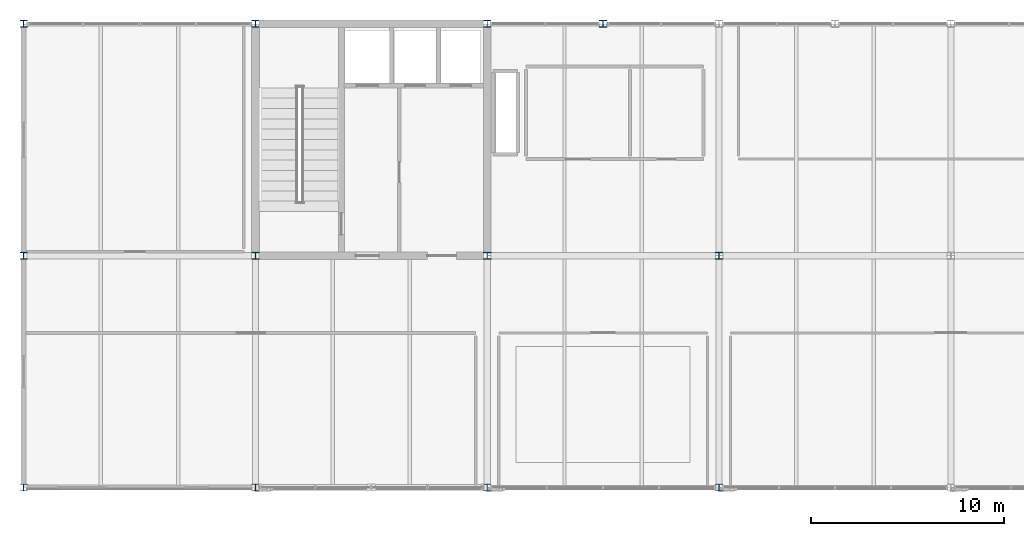
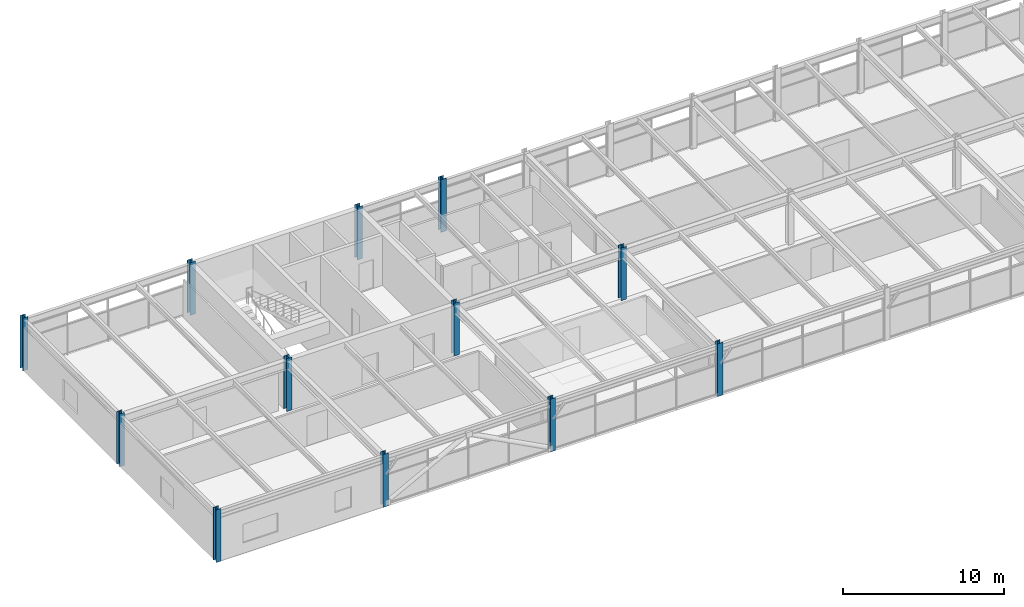
# One storey, part 1 of 40: 12 columns.
"""IFC4 building model written with IfcOpenShell, lengths in metres."""

import ifcopenshell
import ifcopenshell.guid

model = None  # the IFC model being written
_history = None  # IfcOwnerHistory: only IFC2X3 demands one
_inside = {}  # id of a spatial element -> (the spatial element, [elements in it])
_under = {}  # id of a project, library or spatial element -> (it, [spatial elements below it])
_declared = {}  # id of a project -> (the project, [libraries it declares])
_typed = {}  # id of a type object -> (the type object, [elements of that type])
_made_of = {}  # id of a material, layer set ... -> (it, [elements and type objects made of it])


def new_model(schema):
    """Start an empty IFC model of exactly this schema.

    Asked for "IFC4X3", IfcOpenShell would pick the latest addendum, in which some entities
    have other attributes; the version numbers below select the first issue.
    IFC2X3 requires an IfcOwnerHistory on every rooted entity: one is made here for all.
    """
    global model, _history
    if schema == "IFC4X3":
        model = ifcopenshell.file(schema_version=(4, 3, 0, 0))
    else:
        model = ifcopenshell.file(schema=schema)
    _inside.clear()
    _under.clear()
    _declared.clear()
    _typed.clear()
    _made_of.clear()
    _history = None
    if model.schema == "IFC2X3":
        org = make("IfcOrganization", Name="unknown")
        user = make(
            "IfcPersonAndOrganization",
            ThePerson=make("IfcPerson", FamilyName="unknown"),
            TheOrganization=org,
        )
        app = make(
            "IfcApplication",
            ApplicationDeveloper=org,
            Version="unknown",
            ApplicationFullName="unknown",
            ApplicationIdentifier="unknown",
        )
        _history = make(
            "IfcOwnerHistory",
            OwningUser=user,
            OwningApplication=app,
            ChangeAction="ADDED",
            CreationDate=0,
        )
    return model


def make(cls, **values):
    """One entity of the class cls with the attributes given. An attribute that is None is left unset."""
    return model.create_entity(
        cls, **{name: value for name, value in values.items() if value is not None}
    )


def rooted(cls, **values):
    """An entity with a GlobalId (a new one), such as an element, a storey or a relation."""
    return make(cls, GlobalId=ifcopenshell.guid.new(), OwnerHistory=_history, **values)


def si_unit(unit_type, name, prefix=None):
    """IfcSIUnit, for example si_unit("LENGTHUNIT", "METRE", prefix="MILLI")."""
    return make("IfcSIUnit", UnitType=unit_type, Prefix=prefix, Name=name)


def assignment(units):
    """IfcUnitAssignment: the units of a project."""
    return None if units is None else make("IfcUnitAssignment", Units=units)


def point(xyz):
    """IfcCartesianPoint."""
    return None if xyz is None else make("IfcCartesianPoint", Coordinates=xyz)


def direction(xyz):
    """IfcDirection."""
    return None if xyz is None else make("IfcDirection", DirectionRatios=xyz)


def frame(location, z_axis=None, x_axis=None):
    """IfcAxis2Placement3D, a coordinate frame: its origin and axes. An axis left out is left unset."""
    return make(
        "IfcAxis2Placement3D",
        Location=point(location),
        Axis=direction(z_axis),
        RefDirection=direction(x_axis),
    )


def frame_2d(location, x_axis=None):
    """IfcAxis2Placement2D, a coordinate frame in the plane: its origin and x axis."""
    return make(
        "IfcAxis2Placement2D", Location=point(location), RefDirection=direction(x_axis)
    )


def origin():
    """The frame at (0, 0, 0) with its axes left unset."""
    return frame((0.0, 0.0, 0.0))


def origin_2d():
    """The frame at (0, 0) in the plane with its x axis left unset."""
    return frame_2d((0.0, 0.0))


def place(relative_to, where):
    """IfcLocalPlacement: puts the frame where relative to a parent placement (None: the world)."""
    return make(
        "IfcLocalPlacement", PlacementRelTo=relative_to, RelativePlacement=where
    )


def context(
    kind, dimensions, precision=None, world=None, true_north=None, identifier=None
):
    """IfcGeometricRepresentationContext, for example the 3D "Model" context."""
    return make(
        "IfcGeometricRepresentationContext",
        ContextIdentifier=identifier,
        ContextType=kind,
        CoordinateSpaceDimension=dimensions,
        Precision=precision,
        WorldCoordinateSystem=world,
        TrueNorth=true_north,
    )


def subcontext(parent, identifier, kind, view, scale=None):
    """IfcGeometricRepresentationSubContext, for example "Body" below "Model"."""
    return make(
        "IfcGeometricRepresentationSubContext",
        ContextIdentifier=identifier,
        ContextType=kind,
        ParentContext=parent,
        TargetScale=scale,
        TargetView=view,
    )


def project(units=None, contexts=None):
    """IfcProject with its units and contexts."""
    return rooted(
        "IfcProject",
        Name="project",
        RepresentationContexts=contexts,
        UnitsInContext=assignment(units),
    )


def spatial(cls, under=None, at=None, **own):
    """A site, building, storey or space (cls), placed at a placement, below another one or the project."""
    s = rooted(cls, ObjectPlacement=at, **own)
    if under is not None:
        _under.setdefault(under.id(), (under, []))[1].append(s)
    return s


def profile(cls, at=None, kind="AREA", **sizes):
    """A parametric profile (cls). Its sizes go by their IFC names, for example OverallWidth=200.0."""
    return make(cls, ProfileType=kind, Position=at, **sizes)


def i_section(**sizes):
    """IfcIShapeProfileDef."""
    return profile("IfcIShapeProfileDef", **sizes)


def extrude(swept, where, along, depth):
    """IfcExtrudedAreaSolid: the profile swept, set in the frame where, extruded along a direction by depth."""
    return make(
        "IfcExtrudedAreaSolid",
        SweptArea=swept,
        Position=where,
        ExtrudedDirection=direction(along),
        Depth=depth,
    )


def shape(context_of_items, identifier, shape_type, items):
    """IfcShapeRepresentation: the items that make up one representation, for example the "Body"."""
    return make(
        "IfcShapeRepresentation",
        ContextOfItems=context_of_items,
        RepresentationIdentifier=identifier,
        RepresentationType=shape_type,
        Items=items,
    )


def material(Name=None, Category=None):
    """IfcMaterial."""
    return make("IfcMaterial", Name=Name, Category=Category)


def material_profile(
    of_material, cross_section, Name=None, Category=None, Priority=None
):
    """IfcMaterialProfile: a cross section and its material."""
    return make(
        "IfcMaterialProfile",
        Name=Name,
        Material=of_material,
        Profile=cross_section,
        Priority=Priority,
        Category=Category,
    )


def profile_set(profiles, Name=None, composite=None):
    """IfcMaterialProfileSet."""
    return make(
        "IfcMaterialProfileSet",
        Name=Name,
        MaterialProfiles=profiles,
        CompositeProfile=composite,
    )


def made_of(thing, what):
    """Note that an element or type object is made of a material, layer set ...; save() writes the relation."""
    if what is not None:
        _made_of.setdefault(what.id(), (what, []))[1].append(thing)
    return thing


def type_object(cls, material=None, **own):
    """A type object (cls), such as IfcWallType, which elements share."""
    return made_of(rooted(cls, **own), material)


def element(
    cls,
    number,
    at=None,
    inside=None,
    cuts=None,
    type_object=None,
    material=None,
    context=None,
    identifier="Body",
    shape_type=None,
    held_by="IfcProductDefinitionShape",
    body=None,
    shapes=None,
    **own,
):
    """One element of the class cls, such as IfcWall. Its Tag is "e" and its number.

    at: its placement. inside: the storey or other place that contains it. cuts: it is an
    opening in that element (IfcRelVoidsElement). A single representation is given by context,
    identifier, shape_type and body (its items); several are given by shapes. held_by: the class
    of the entity that holds the representations. save() writes the other relations.
    """
    e = rooted(cls, Tag="e%d" % number, ObjectPlacement=at, **own)
    if body is not None:
        shapes = [shape(context, identifier, shape_type, body)]
    if shapes is not None:
        e.Representation = make(held_by, Representations=shapes)
    if inside is not None:
        _inside.setdefault(inside.id(), (inside, []))[1].append(e)
    if cuts is not None:
        rooted(
            "IfcRelVoidsElement", RelatingBuildingElement=cuts, RelatedOpeningElement=e
        )
    if type_object is not None:
        _typed.setdefault(type_object.id(), (type_object, []))[1].append(e)
    return made_of(e, material)


def aggregate(whole, parts):
    """IfcRelAggregates: a whole, such as a stair, and the parts it consists of."""
    return rooted("IfcRelAggregates", RelatingObject=whole, RelatedObjects=parts)


def save(model, path):
    """Write the relations noted so far, then the file.

    IfcRelAggregates (storeys below a building ...), IfcRelContainedInSpatialStructure (elements
    in a storey), IfcRelDefinesByType, IfcRelAssociatesMaterial and IfcRelDeclares: one each for
    every whole, place, type object, material and project.
    """
    for whole, parts in _under.values():
        aggregate(whole, parts)
    for where, things in _inside.values():
        rooted(
            "IfcRelContainedInSpatialStructure",
            RelatedElements=things,
            RelatingStructure=where,
        )
    for kind, things in _typed.values():
        rooted("IfcRelDefinesByType", RelatedObjects=things, RelatingType=kind)
    for what, things in _made_of.values():
        rooted("IfcRelAssociatesMaterial", RelatedObjects=things, RelatingMaterial=what)
    for by, libraries in _declared.values():
        rooted("IfcRelDeclares", RelatingContext=by, RelatedDefinitions=libraries)
    model.write(path)


model = new_model("IFC4")

# Units and contexts
model_context = context("Model", 3, precision=1e-05, world=origin(), true_north=direction((0.0, 1.0)))
body_context = subcontext(model_context, "Body", "Model", "MODEL_VIEW")
ifc_project = project(units=[si_unit("LENGTHUNIT", "METRE"), si_unit("AREAUNIT", "SQUARE_METRE"), si_unit("VOLUMEUNIT", "CUBIC_METRE"), si_unit("PLANEANGLEUNIT", "RADIAN"), si_unit("MASSUNIT", "GRAM", prefix="KILO")], contexts=[model_context])

# Site, building, storey
site_placement = place(None, origin())
site = spatial("IfcSite", under=ifc_project, at=site_placement, CompositionType="ELEMENT")
building_placement = place(site_placement, origin())
building = spatial("IfcBuilding", under=site, at=building_placement, Name="Girod Span Mobility Hub", CompositionType="ELEMENT")
storey_placement = place(building_placement, frame((0.0, 0.0, 53.60009765625)))
storey = spatial("IfcBuildingStorey", under=building, at=storey_placement, Name="L13", CompositionType="ELEMENT", Elevation=53.60009765625)

# Columns
ifc_material_1 = material(Name="Steel A992 Grade 50", Category="steel")
ifc_material_profile_1 = material_profile(ifc_material_1, i_section(OverallWidth=0.39404296875, OverallDepth=0.375, WebThickness=0.017333984375, FlangeThickness=0.027587890625, FilletRadius=0.01806640625, at=origin_2d()), Name="W14X145")
ifc_profile_set_1 = profile_set([ifc_material_profile_1], Name="Steel A992 Grade 50")
column_type_1 = type_object("IfcColumnType", Name="COL-STL-W14X145", PredefinedType="COLUMN", material=ifc_profile_set_1)
for number, where, z_axis, x_axis, name in (
    (1, (48.0, 57.0, 0.0), (0.0, 0.0, 1.0), (1.0, 0.0, 0.0), "Column 5E L13"),
    (2, (60.0, 57.0, 0.0), (0.0, 0.0, 1.0), (1.0, 0.0, 0.0), "Column 6E L13"),
    (3, (72.0, 57.0, 0.0), (0.0, 0.0, 1.0), (1.0, 0.0, 0.0), "Column 7E L13"),
    (4, (66.0, 69.0, 0.0), (0.0, 0.0, 1.0), (1.0, 0.0, 0.0), "Facade Intermediate Column INT-1 L13"),
):
    element("IfcColumn", number, at=place(storey_placement, frame(where, z_axis=z_axis, x_axis=x_axis)), inside=storey, type_object=column_type_1, Name=name, PredefinedType="COLUMN", context=body_context, shape_type="SweptSolid", body=[
        extrude(i_section(OverallWidth=0.39404296875, OverallDepth=0.375, WebThickness=0.017333984375, FlangeThickness=0.027587890625, FilletRadius=0.01806640625, at=origin_2d()), origin(), (0.0, 0.0, 1.0), 4.0),
    ])
ifc_material_2 = material(Name="Steel A992 Grade 50", Category="steel")
ifc_material_profile_2 = material_profile(ifc_material_2, i_section(OverallWidth=0.368896484375, OverallDepth=0.35595703125, WebThickness=0.01123046875, FlangeThickness=0.01806640625, FilletRadius=0.01806640625, at=origin_2d()), Name="W14X90")
ifc_profile_set_2 = profile_set([ifc_material_profile_2], Name="Steel A992 Grade 50")
column_type_2 = type_object("IfcColumnType", Name="COL-STL-W14X90", PredefinedType="COLUMN", material=ifc_profile_set_2)
for number, where, z_axis, x_axis, name in (
    (5, (36.0, 45.0, 0.0), (0.0, 0.0, 1.0), (1.0, 0.0, 0.0), "Column 4D L13"),
    (6, (36.0, 57.0, 0.0), (0.0, 0.0, 1.0), (1.0, 0.0, 0.0), "Column 4E L13"),
    (7, (36.0, 69.0, 0.0), (0.0, 0.0, 1.0), (1.0, 0.0, 0.0), "Column 4F L13"),
    (8, (48.0, 45.0, 0.0), (0.0, 0.0, 1.0), (1.0, 0.0, 0.0), "Column 5D L13"),
    (9, (48.0, 69.0, 0.0), (0.0, 0.0, 1.0), (1.0, 0.0, 0.0), "Column 5F L13"),
    (10, (60.0, 45.0, 0.0), (0.0, 0.0, 1.0), (1.0, 0.0, 0.0), "Column 6D L13"),
    (11, (60.0, 69.0, 0.0), (0.0, 0.0, 1.0), (1.0, 0.0, 0.0), "Column 6F L13"),
    (12, (72.0, 45.0, 0.0), (0.0, 0.0, 1.0), (1.0, 0.0, 0.0), "Column 7D L13"),
):
    element("IfcColumn", number, at=place(storey_placement, frame(where, z_axis=z_axis, x_axis=x_axis)), inside=storey, type_object=column_type_2, Name=name, PredefinedType="COLUMN", context=body_context, shape_type="SweptSolid", body=[
        extrude(i_section(OverallWidth=0.368896484375, OverallDepth=0.35595703125, WebThickness=0.01123046875, FlangeThickness=0.01806640625, FilletRadius=0.01806640625, at=origin_2d()), origin(), (0.0, 0.0, 1.0), 4.0),
    ])

save(model, "model.ifc")
